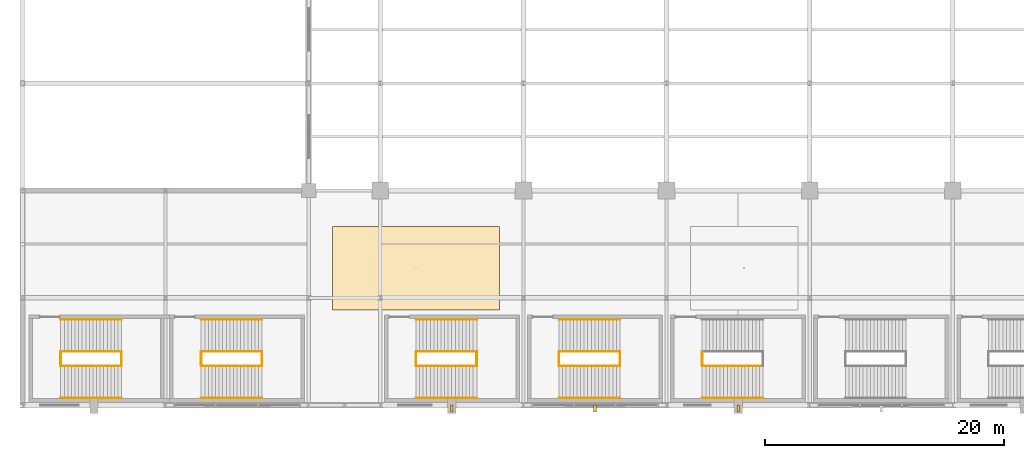
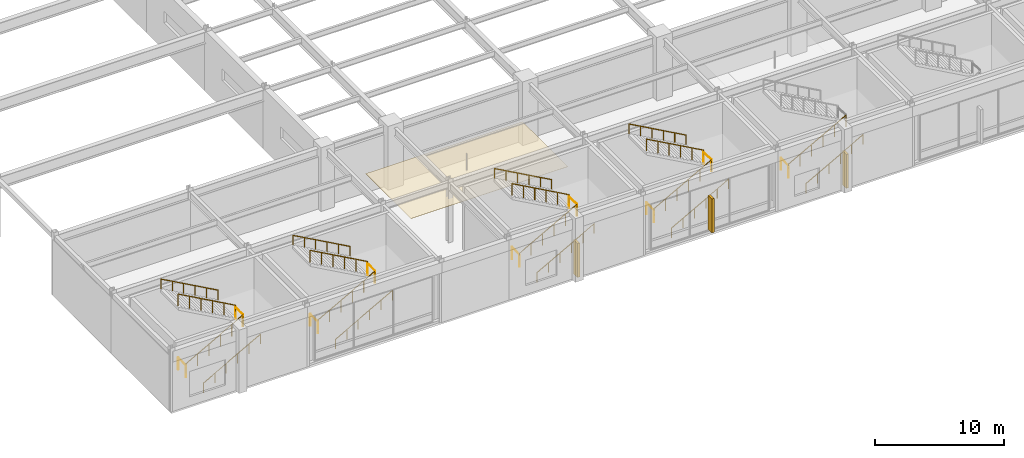
# One storey, part 97 of 105: 27 railings, 3 shading devices, 1 covering.
"""IFC4 building model written with IfcOpenShell, lengths in metres."""

from ifc_helpers import new_model, si_unit, direction, frame, origin, origin_2d, place, context, subcontext, project, spatial, polyline, rectangle, circle, outline, extrude, material, layer, layer_set, type_object, element, save


model = new_model("IFC4")

# Units and contexts
model_context = context("Model", 3, precision=1e-05, world=origin(), true_north=direction((0.0, 1.0)))
body_context = subcontext(model_context, "Body", "Model", "MODEL_VIEW")
ifc_project = project(units=[si_unit("LENGTHUNIT", "METRE"), si_unit("AREAUNIT", "SQUARE_METRE"), si_unit("VOLUMEUNIT", "CUBIC_METRE"), si_unit("PLANEANGLEUNIT", "RADIAN"), si_unit("MASSUNIT", "GRAM", prefix="KILO")], contexts=[model_context])

# Site, building, storey
site_placement = place(None, origin())
site = spatial("IfcSite", under=ifc_project, at=site_placement, CompositionType="ELEMENT")
building_placement = place(site_placement, origin())
building = spatial("IfcBuilding", under=site, at=building_placement, Name="Kaldorvane Square Convention Centre", CompositionType="ELEMENT")
storey_placement = place(building_placement, frame((0.0, 0.0, 6.0)))
storey = spatial("IfcBuildingStorey", under=building, at=storey_placement, Name="L01", CompositionType="ELEMENT", Elevation=6.0)

# Covering
ifc_material_1 = material(Name="Perforated Acoustic Mineral Fiber Ceiling")
ifc_layer = layer(ifc_material_1, 0.024993896484375)
ifc_layer_set = layer_set([ifc_layer], Name="Perforated Acoustic Mineral Fiber Ceiling")
covering_type = type_object("IfcCoveringType", Name="CV-CEIL-025", PredefinedType="CEILING", material=ifc_layer_set)
covering_placement = place(storey_placement, frame((0.0, 0.0, 4.100006103515625)))
element("IfcCovering", 1, at=covering_placement, inside=storey, type_object=covering_type, Name="Acoustic Ceiling Canopy 03 (L01)", PredefinedType="CEILING", context=body_context, shape_type="SweptSolid", body=[
    extrude(outline(polyline([(26.0, 8.0), (40.0, 8.0), (40.0, 15.0), (26.0, 15.0), (26.0, 8.0)])), origin(), (0.0, 0.0, 1.0), 0.024993896484375),
])

# Railings
ifc_material_2 = material(Name="Architectural Painted Steel", Category="steel")
railing_type_1 = type_object("IfcRailingType", Name="RL-GUARD-1120", PredefinedType="BALUSTRADE", material=ifc_material_2)
for number, where, name in (
    (2, (3.2100067138671875, 3.30999755859375, 0.0), "Convention Exit Stair C1 Floor Well Guard (L01)"),
    (3, (8.30999755859375, 3.30999755859375, 3.0), "Convention Exit Stair C1 Half-Landing Guard (L01)"),
):
    element("IfcRailing", number, at=place(storey_placement, frame(where)), inside=storey, type_object=railing_type_1, Name=name, PredefinedType="BALUSTRADE", context=body_context, shape_type="SweptSolid", body=[
        extrude(circle(Radius=0.0240020751953125, at=origin_2d()), frame((0.0, 0.0, 1.0959930419921875), z_axis=(0.0, 1.0, 0.0), x_axis=(-1.0, 0.0, 0.0)), (0.0, 0.0, 1.0), 1.19000244140625),
        extrude(circle(Radius=0.02099609375, at=origin_2d()), origin(), (0.0, 0.0, 1.0), 1.071990966796875),
        extrude(circle(Radius=0.02099609375, at=origin_2d()), frame((0.0, 1.19000244140625, 0.0)), (0.0, 0.0, 1.0), 1.071990966796875),
    ])
railing_1_placement = place(storey_placement, frame((3.2100067138671875, 3.3000030517578125, 0.1666717529296875)))
element("IfcRailing", 4, at=railing_1_placement, inside=storey, type_object=railing_type_1, Name="Convention Exit Stair C1 Flight 1 Guard (L01)", PredefinedType="BALUSTRADE", context=body_context, shape_type="SweptSolid", body=[
    extrude(circle(Radius=0.0240020751953125, at=origin_2d()), frame((0.0, 0.0, 1.0959930419921875), z_axis=(0.874157276122, 0.0, 0.485642931179), x_axis=(0.0, 1.0, 0.0)), (0.0, 0.0, 1.0), 5.8341827392578125),
    extrude(circle(Radius=0.02099609375, at=origin_2d()), origin(), (0.0, 0.0, 1.0), 1.071990966796875),
    extrude(circle(Radius=0.02099609375, at=origin_2d()), frame((1.0200042724609375, 0.0, 0.5666656494140625)), (0.0, 0.0, 1.0), 1.071990966796875),
    extrude(circle(Radius=0.02099609375, at=origin_2d()), frame((2.0399932861328125, 0.0, 1.133331298828125)), (0.0, 0.0, 1.0), 1.071990966796875),
    extrude(circle(Radius=0.02099609375, at=origin_2d()), frame((3.05999755859375, 0.0, 1.6999969482421875)), (0.0, 0.0, 1.0), 1.071990966796875),
    extrude(circle(Radius=0.02099609375, at=origin_2d()), frame((4.079986572265625, 0.0, 2.26666259765625)), (0.0, 0.0, 1.0), 1.071990966796875),
    extrude(circle(Radius=0.02099609375, at=origin_2d()), frame((5.0999908447265625, 0.0, 2.8333282470703125)), (0.0, 0.0, 1.0), 1.071990966796875),
])
railing_2_placement = place(storey_placement, frame((8.30999755859375, 4.5099945068359375, 3.1666717529296875)))
element("IfcRailing", 5, at=railing_2_placement, inside=storey, type_object=railing_type_1, Name="Convention Exit Stair C1 Flight 2 Guard (L01)", PredefinedType="BALUSTRADE", context=body_context, shape_type="SweptSolid", body=[
    extrude(circle(Radius=0.0240020751953125, at=origin_2d()), frame((0.0, 0.0, 1.0959930419921875), z_axis=(-0.874157276122, 0.0, 0.485642931179), x_axis=(0.0, -1.0, 0.0)), (0.0, 0.0, 1.0), 5.8341827392578125),
    extrude(circle(Radius=0.02099609375, at=origin_2d()), origin(), (0.0, 0.0, 1.0), 1.071990966796875),
    extrude(circle(Radius=0.02099609375, at=origin_2d()), frame((-1.0200042724609375, 0.0, 0.5666656494140625)), (0.0, 0.0, 1.0), 1.071990966796875),
    extrude(circle(Radius=0.02099609375, at=origin_2d()), frame((-2.0399932861328125, 0.0, 1.133331298828125)), (0.0, 0.0, 1.0), 1.071990966796875),
    extrude(circle(Radius=0.02099609375, at=origin_2d()), frame((-3.05999755859375, 0.0, 1.6999969482421875)), (0.0, 0.0, 1.0), 1.071990966796875),
    extrude(circle(Radius=0.02099609375, at=origin_2d()), frame((-4.079986572265625, 0.0, 2.26666259765625)), (0.0, 0.0, 1.0), 1.071990966796875),
    extrude(circle(Radius=0.02099609375, at=origin_2d()), frame((-5.0999908447265625, 0.0, 2.8333282470703125)), (0.0, 0.0, 1.0), 1.071990966796875),
])
for number, where, name in (
    (6, (14.990005493164062, 3.30999755859375, 0.0), "Convention Exit Stair C2 Floor Well Guard (L01)"),
    (7, (20.089996337890625, 3.30999755859375, 3.0), "Convention Exit Stair C2 Half-Landing Guard (L01)"),
):
    element("IfcRailing", number, at=place(storey_placement, frame(where)), inside=storey, type_object=railing_type_1, Name=name, PredefinedType="BALUSTRADE", context=body_context, shape_type="SweptSolid", body=[
        extrude(circle(Radius=0.0240020751953125, at=origin_2d()), frame((0.0, 0.0, 1.0959930419921875), z_axis=(0.0, 1.0, 0.0), x_axis=(-1.0, 0.0, 0.0)), (0.0, 0.0, 1.0), 1.19000244140625),
        extrude(circle(Radius=0.02099609375, at=origin_2d()), origin(), (0.0, 0.0, 1.0), 1.071990966796875),
        extrude(circle(Radius=0.02099609375, at=origin_2d()), frame((0.0, 1.19000244140625, 0.0)), (0.0, 0.0, 1.0), 1.071990966796875),
    ])
railing_3_placement = place(storey_placement, frame((14.990005493164062, 3.3000030517578125, 0.1666717529296875)))
element("IfcRailing", 8, at=railing_3_placement, inside=storey, type_object=railing_type_1, Name="Convention Exit Stair C2 Flight 1 Guard (L01)", PredefinedType="BALUSTRADE", context=body_context, shape_type="SweptSolid", body=[
    extrude(circle(Radius=0.0240020751953125, at=origin_2d()), frame((0.0, 0.0, 1.0959930419921875), z_axis=(0.874157276122, 0.0, 0.485642931179), x_axis=(0.0, 1.0, 0.0)), (0.0, 0.0, 1.0), 5.8341827392578125),
    extrude(circle(Radius=0.02099609375, at=origin_2d()), origin(), (0.0, 0.0, 1.0), 1.071990966796875),
    extrude(circle(Radius=0.02099609375, at=origin_2d()), frame((1.0200042724609375, 0.0, 0.5666656494140625)), (0.0, 0.0, 1.0), 1.071990966796875),
    extrude(circle(Radius=0.02099609375, at=origin_2d()), frame((2.0399932861328125, 0.0, 1.133331298828125)), (0.0, 0.0, 1.0), 1.071990966796875),
    extrude(circle(Radius=0.02099609375, at=origin_2d()), frame((3.05999755859375, 0.0, 1.6999969482421875)), (0.0, 0.0, 1.0), 1.071990966796875),
    extrude(circle(Radius=0.02099609375, at=origin_2d()), frame((4.079986572265625, 0.0, 2.26666259765625)), (0.0, 0.0, 1.0), 1.071990966796875),
    extrude(circle(Radius=0.02099609375, at=origin_2d()), frame((5.0999908447265625, 0.0, 2.8333282470703125)), (0.0, 0.0, 1.0), 1.071990966796875),
])
railing_4_placement = place(storey_placement, frame((20.089996337890625, 4.5099945068359375, 3.1666717529296875)))
element("IfcRailing", 9, at=railing_4_placement, inside=storey, type_object=railing_type_1, Name="Convention Exit Stair C2 Flight 2 Guard (L01)", PredefinedType="BALUSTRADE", context=body_context, shape_type="SweptSolid", body=[
    extrude(circle(Radius=0.0240020751953125, at=origin_2d()), frame((0.0, 0.0, 1.0959930419921875), z_axis=(-0.874157276122, 0.0, 0.485642931179), x_axis=(0.0, -1.0, 0.0)), (0.0, 0.0, 1.0), 5.8341827392578125),
    extrude(circle(Radius=0.02099609375, at=origin_2d()), origin(), (0.0, 0.0, 1.0), 1.071990966796875),
    extrude(circle(Radius=0.02099609375, at=origin_2d()), frame((-1.0200042724609375, 0.0, 0.5666656494140625)), (0.0, 0.0, 1.0), 1.071990966796875),
    extrude(circle(Radius=0.02099609375, at=origin_2d()), frame((-2.0399932861328125, 0.0, 1.133331298828125)), (0.0, 0.0, 1.0), 1.071990966796875),
    extrude(circle(Radius=0.02099609375, at=origin_2d()), frame((-3.05999755859375, 0.0, 1.6999969482421875)), (0.0, 0.0, 1.0), 1.071990966796875),
    extrude(circle(Radius=0.02099609375, at=origin_2d()), frame((-4.079986572265625, 0.0, 2.26666259765625)), (0.0, 0.0, 1.0), 1.071990966796875),
    extrude(circle(Radius=0.02099609375, at=origin_2d()), frame((-5.0999908447265625, 0.0, 2.8333282470703125)), (0.0, 0.0, 1.0), 1.071990966796875),
])
for number, where, name in (
    (10, (32.99000549316406, 3.30999755859375, 0.0), "Convention Exit Stair C3 Floor Well Guard (L01)"),
    (11, (38.089996337890625, 3.30999755859375, 3.0), "Convention Exit Stair C3 Half-Landing Guard (L01)"),
):
    element("IfcRailing", number, at=place(storey_placement, frame(where)), inside=storey, type_object=railing_type_1, Name=name, PredefinedType="BALUSTRADE", context=body_context, shape_type="SweptSolid", body=[
        extrude(circle(Radius=0.0240020751953125, at=origin_2d()), frame((0.0, 0.0, 1.0959930419921875), z_axis=(0.0, 1.0, 0.0), x_axis=(-1.0, 0.0, 0.0)), (0.0, 0.0, 1.0), 1.19000244140625),
        extrude(circle(Radius=0.02099609375, at=origin_2d()), origin(), (0.0, 0.0, 1.0), 1.071990966796875),
        extrude(circle(Radius=0.02099609375, at=origin_2d()), frame((0.0, 1.19000244140625, 0.0)), (0.0, 0.0, 1.0), 1.071990966796875),
    ])
railing_5_placement = place(storey_placement, frame((32.99000549316406, 3.3000030517578125, 0.1666717529296875)))
element("IfcRailing", 12, at=railing_5_placement, inside=storey, type_object=railing_type_1, Name="Convention Exit Stair C3 Flight 1 Guard (L01)", PredefinedType="BALUSTRADE", context=body_context, shape_type="SweptSolid", body=[
    extrude(circle(Radius=0.0240020751953125, at=origin_2d()), frame((0.0, 0.0, 1.0959930419921875), z_axis=(0.874157276122, 0.0, 0.485642931179), x_axis=(0.0, 1.0, 0.0)), (0.0, 0.0, 1.0), 5.8341827392578125),
    extrude(circle(Radius=0.02099609375, at=origin_2d()), origin(), (0.0, 0.0, 1.0), 1.071990966796875),
    extrude(circle(Radius=0.02099609375, at=origin_2d()), frame((1.0200042724609375, 0.0, 0.5666656494140625)), (0.0, 0.0, 1.0), 1.071990966796875),
    extrude(circle(Radius=0.02099609375, at=origin_2d()), frame((2.0399932861328125, 0.0, 1.133331298828125)), (0.0, 0.0, 1.0), 1.071990966796875),
    extrude(circle(Radius=0.02099609375, at=origin_2d()), frame((3.05999755859375, 0.0, 1.6999969482421875)), (0.0, 0.0, 1.0), 1.071990966796875),
    extrude(circle(Radius=0.02099609375, at=origin_2d()), frame((4.079986572265625, 0.0, 2.26666259765625)), (0.0, 0.0, 1.0), 1.071990966796875),
    extrude(circle(Radius=0.02099609375, at=origin_2d()), frame((5.0999908447265625, 0.0, 2.8333282470703125)), (0.0, 0.0, 1.0), 1.071990966796875),
])
railing_6_placement = place(storey_placement, frame((38.089996337890625, 4.5099945068359375, 3.1666717529296875)))
element("IfcRailing", 13, at=railing_6_placement, inside=storey, type_object=railing_type_1, Name="Convention Exit Stair C3 Flight 2 Guard (L01)", PredefinedType="BALUSTRADE", context=body_context, shape_type="SweptSolid", body=[
    extrude(circle(Radius=0.0240020751953125, at=origin_2d()), frame((0.0, 0.0, 1.0959930419921875), z_axis=(-0.874157276122, 0.0, 0.485642931179), x_axis=(0.0, -1.0, 0.0)), (0.0, 0.0, 1.0), 5.8341827392578125),
    extrude(circle(Radius=0.02099609375, at=origin_2d()), origin(), (0.0, 0.0, 1.0), 1.071990966796875),
    extrude(circle(Radius=0.02099609375, at=origin_2d()), frame((-1.0200042724609375, 0.0, 0.5666656494140625)), (0.0, 0.0, 1.0), 1.071990966796875),
    extrude(circle(Radius=0.02099609375, at=origin_2d()), frame((-2.0399932861328125, 0.0, 1.133331298828125)), (0.0, 0.0, 1.0), 1.071990966796875),
    extrude(circle(Radius=0.02099609375, at=origin_2d()), frame((-3.05999755859375, 0.0, 1.6999969482421875)), (0.0, 0.0, 1.0), 1.071990966796875),
    extrude(circle(Radius=0.02099609375, at=origin_2d()), frame((-4.079986572265625, 0.0, 2.26666259765625)), (0.0, 0.0, 1.0), 1.071990966796875),
    extrude(circle(Radius=0.02099609375, at=origin_2d()), frame((-5.0999908447265625, 0.0, 2.8333282470703125)), (0.0, 0.0, 1.0), 1.071990966796875),
])
for number, where, name in (
    (14, (44.99000549316406, 3.30999755859375, 0.0), "Convention Exit Stair C4 Floor Well Guard (L01)"),
    (15, (50.089996337890625, 3.30999755859375, 3.0), "Convention Exit Stair C4 Half-Landing Guard (L01)"),
):
    element("IfcRailing", number, at=place(storey_placement, frame(where)), inside=storey, type_object=railing_type_1, Name=name, PredefinedType="BALUSTRADE", context=body_context, shape_type="SweptSolid", body=[
        extrude(circle(Radius=0.0240020751953125, at=origin_2d()), frame((0.0, 0.0, 1.0959930419921875), z_axis=(0.0, 1.0, 0.0), x_axis=(-1.0, 0.0, 0.0)), (0.0, 0.0, 1.0), 1.19000244140625),
        extrude(circle(Radius=0.02099609375, at=origin_2d()), origin(), (0.0, 0.0, 1.0), 1.071990966796875),
        extrude(circle(Radius=0.02099609375, at=origin_2d()), frame((0.0, 1.19000244140625, 0.0)), (0.0, 0.0, 1.0), 1.071990966796875),
    ])
railing_7_placement = place(storey_placement, frame((44.99000549316406, 3.3000030517578125, 0.1666717529296875)))
element("IfcRailing", 16, at=railing_7_placement, inside=storey, type_object=railing_type_1, Name="Convention Exit Stair C4 Flight 1 Guard (L01)", PredefinedType="BALUSTRADE", context=body_context, shape_type="SweptSolid", body=[
    extrude(circle(Radius=0.0240020751953125, at=origin_2d()), frame((0.0, 0.0, 1.0959930419921875), z_axis=(0.874157276122, 0.0, 0.485642931179), x_axis=(0.0, 1.0, 0.0)), (0.0, 0.0, 1.0), 5.8341827392578125),
    extrude(circle(Radius=0.02099609375, at=origin_2d()), origin(), (0.0, 0.0, 1.0), 1.071990966796875),
    extrude(circle(Radius=0.02099609375, at=origin_2d()), frame((1.0200042724609375, 0.0, 0.5666656494140625)), (0.0, 0.0, 1.0), 1.071990966796875),
    extrude(circle(Radius=0.02099609375, at=origin_2d()), frame((2.0399932861328125, 0.0, 1.133331298828125)), (0.0, 0.0, 1.0), 1.071990966796875),
    extrude(circle(Radius=0.02099609375, at=origin_2d()), frame((3.05999755859375, 0.0, 1.6999969482421875)), (0.0, 0.0, 1.0), 1.071990966796875),
    extrude(circle(Radius=0.02099609375, at=origin_2d()), frame((4.079986572265625, 0.0, 2.26666259765625)), (0.0, 0.0, 1.0), 1.071990966796875),
    extrude(circle(Radius=0.02099609375, at=origin_2d()), frame((5.0999908447265625, 0.0, 2.8333282470703125)), (0.0, 0.0, 1.0), 1.071990966796875),
])
railing_8_placement = place(storey_placement, frame((50.089996337890625, 4.5099945068359375, 3.1666717529296875)))
element("IfcRailing", 17, at=railing_8_placement, inside=storey, type_object=railing_type_1, Name="Convention Exit Stair C4 Flight 2 Guard (L01)", PredefinedType="BALUSTRADE", context=body_context, shape_type="SweptSolid", body=[
    extrude(circle(Radius=0.0240020751953125, at=origin_2d()), frame((0.0, 0.0, 1.0959930419921875), z_axis=(-0.874157276122, 0.0, 0.485642931179), x_axis=(0.0, -1.0, 0.0)), (0.0, 0.0, 1.0), 5.8341827392578125),
    extrude(circle(Radius=0.02099609375, at=origin_2d()), origin(), (0.0, 0.0, 1.0), 1.071990966796875),
    extrude(circle(Radius=0.02099609375, at=origin_2d()), frame((-1.0200042724609375, 0.0, 0.5666656494140625)), (0.0, 0.0, 1.0), 1.071990966796875),
    extrude(circle(Radius=0.02099609375, at=origin_2d()), frame((-2.0399932861328125, 0.0, 1.133331298828125)), (0.0, 0.0, 1.0), 1.071990966796875),
    extrude(circle(Radius=0.02099609375, at=origin_2d()), frame((-3.05999755859375, 0.0, 1.6999969482421875)), (0.0, 0.0, 1.0), 1.071990966796875),
    extrude(circle(Radius=0.02099609375, at=origin_2d()), frame((-4.079986572265625, 0.0, 2.26666259765625)), (0.0, 0.0, 1.0), 1.071990966796875),
    extrude(circle(Radius=0.02099609375, at=origin_2d()), frame((-5.0999908447265625, 0.0, 2.8333282470703125)), (0.0, 0.0, 1.0), 1.071990966796875),
])
railing_9_placement = place(storey_placement, frame((56.99000549316406, 3.30999755859375, 0.0)))
element("IfcRailing", 18, at=railing_9_placement, inside=storey, type_object=railing_type_1, Name="Convention Exit Stair C5 Floor Well Guard (L01)", PredefinedType="BALUSTRADE", context=body_context, shape_type="SweptSolid", body=[
    extrude(circle(Radius=0.0240020751953125, at=origin_2d()), frame((0.0, 0.0, 1.0959930419921875), z_axis=(0.0, 1.0, 0.0), x_axis=(-1.0, 0.0, 0.0)), (0.0, 0.0, 1.0), 1.19000244140625),
    extrude(circle(Radius=0.02099609375, at=origin_2d()), origin(), (0.0, 0.0, 1.0), 1.071990966796875),
    extrude(circle(Radius=0.02099609375, at=origin_2d()), frame((0.0, 1.19000244140625, 0.0)), (0.0, 0.0, 1.0), 1.071990966796875),
])
railing_10_placement = place(storey_placement, frame((56.99000549316406, 3.3000030517578125, 0.1666717529296875)))
element("IfcRailing", 19, at=railing_10_placement, inside=storey, type_object=railing_type_1, Name="Convention Exit Stair C5 Flight 1 Guard (L01)", PredefinedType="BALUSTRADE", context=body_context, shape_type="SweptSolid", body=[
    extrude(circle(Radius=0.0240020751953125, at=origin_2d()), frame((0.0, 0.0, 1.0959930419921875), z_axis=(0.874157276122, 0.0, 0.485642931179), x_axis=(0.0, 1.0, 0.0)), (0.0, 0.0, 1.0), 5.8341827392578125),
    extrude(circle(Radius=0.02099609375, at=origin_2d()), origin(), (0.0, 0.0, 1.0), 1.071990966796875),
    extrude(circle(Radius=0.02099609375, at=origin_2d()), frame((1.0200042724609375, 0.0, 0.5666656494140625)), (0.0, 0.0, 1.0), 1.071990966796875),
    extrude(circle(Radius=0.02099609375, at=origin_2d()), frame((2.0399932861328125, 0.0, 1.133331298828125)), (0.0, 0.0, 1.0), 1.071990966796875),
    extrude(circle(Radius=0.02099609375, at=origin_2d()), frame((3.05999755859375, 0.0, 1.6999969482421875)), (0.0, 0.0, 1.0), 1.071990966796875),
    extrude(circle(Radius=0.02099609375, at=origin_2d()), frame((4.079986572265625, 0.0, 2.26666259765625)), (0.0, 0.0, 1.0), 1.071990966796875),
    extrude(circle(Radius=0.02099609375, at=origin_2d()), frame((5.0999908447265625, 0.0, 2.8333282470703125)), (0.0, 0.0, 1.0), 1.071990966796875),
])
railing_type_2 = type_object("IfcRailingType", Name="RL-HAND-915", PredefinedType="HANDRAIL", material=ifc_material_2)
railing_11_placement = place(storey_placement, frame((3.2100067138671875, 0.6199951171875, 0.1666717529296875)))
element("IfcRailing", 20, at=railing_11_placement, inside=storey, type_object=railing_type_2, Name="Convention Exit Stair C1 Wall Handrail 1 (L01)", PredefinedType="HANDRAIL", context=body_context, shape_type="SweptSolid", body=[
    extrude(circle(Radius=0.0240020751953125, at=origin_2d()), frame((0.0, 0.0, 0.8909912109375), z_axis=(0.874157276122, 0.0, 0.485642931179), x_axis=(0.0, 1.0, 0.0)), (0.0, 0.0, 1.0), 5.8341827392578125),
    extrude(circle(Radius=0.02099609375, at=origin_2d()), origin(), (0.0, 0.0, 1.0), 0.8669891357421875),
    extrude(circle(Radius=0.02099609375, at=origin_2d()), frame((1.0200042724609375, 0.0, 0.5666656494140625)), (0.0, 0.0, 1.0), 0.8669891357421875),
    extrude(circle(Radius=0.02099609375, at=origin_2d()), frame((2.0399932861328125, 0.0, 1.133331298828125)), (0.0, 0.0, 1.0), 0.8669891357421875),
    extrude(circle(Radius=0.02099609375, at=origin_2d()), frame((3.05999755859375, 0.0, 1.6999969482421875)), (0.0, 0.0, 1.0), 0.8669891357421875),
    extrude(circle(Radius=0.02099609375, at=origin_2d()), frame((4.079986572265625, 0.0, 2.26666259765625)), (0.0, 0.0, 1.0), 0.8669891357421875),
    extrude(circle(Radius=0.02099609375, at=origin_2d()), frame((5.0999908447265625, 0.0, 2.8333282470703125)), (0.0, 0.0, 1.0), 0.8669891357421875),
])
railing_12_placement = place(storey_placement, frame((8.30999755859375, 7.19000244140625, 3.1666717529296875)))
element("IfcRailing", 21, at=railing_12_placement, inside=storey, type_object=railing_type_2, Name="Convention Exit Stair C1 Wall Handrail 2 (L01)", PredefinedType="HANDRAIL", context=body_context, shape_type="SweptSolid", body=[
    extrude(circle(Radius=0.0240020751953125, at=origin_2d()), frame((0.0, 0.0, 0.8909912109375), z_axis=(-0.874157276122, 0.0, 0.485642931179), x_axis=(0.0, -1.0, 0.0)), (0.0, 0.0, 1.0), 5.8341827392578125),
    extrude(circle(Radius=0.02099609375, at=origin_2d()), origin(), (0.0, 0.0, 1.0), 0.8669891357421875),
    extrude(circle(Radius=0.02099609375, at=origin_2d()), frame((-1.0200042724609375, 0.0, 0.5666656494140625)), (0.0, 0.0, 1.0), 0.8669891357421875),
    extrude(circle(Radius=0.02099609375, at=origin_2d()), frame((-2.0399932861328125, 0.0, 1.133331298828125)), (0.0, 0.0, 1.0), 0.8669891357421875),
    extrude(circle(Radius=0.02099609375, at=origin_2d()), frame((-3.05999755859375, 0.0, 1.6999969482421875)), (0.0, 0.0, 1.0), 0.8669891357421875),
    extrude(circle(Radius=0.02099609375, at=origin_2d()), frame((-4.079986572265625, 0.0, 2.26666259765625)), (0.0, 0.0, 1.0), 0.8669891357421875),
    extrude(circle(Radius=0.02099609375, at=origin_2d()), frame((-5.0999908447265625, 0.0, 2.8333282470703125)), (0.0, 0.0, 1.0), 0.8669891357421875),
])
railing_13_placement = place(storey_placement, frame((14.990005493164062, 0.6199951171875, 0.1666717529296875)))
element("IfcRailing", 22, at=railing_13_placement, inside=storey, type_object=railing_type_2, Name="Convention Exit Stair C2 Wall Handrail 1 (L01)", PredefinedType="HANDRAIL", context=body_context, shape_type="SweptSolid", body=[
    extrude(circle(Radius=0.0240020751953125, at=origin_2d()), frame((0.0, 0.0, 0.8909912109375), z_axis=(0.874157276122, 0.0, 0.485642931179), x_axis=(0.0, 1.0, 0.0)), (0.0, 0.0, 1.0), 5.8341827392578125),
    extrude(circle(Radius=0.02099609375, at=origin_2d()), origin(), (0.0, 0.0, 1.0), 0.8669891357421875),
    extrude(circle(Radius=0.02099609375, at=origin_2d()), frame((1.0200042724609375, 0.0, 0.5666656494140625)), (0.0, 0.0, 1.0), 0.8669891357421875),
    extrude(circle(Radius=0.02099609375, at=origin_2d()), frame((2.0399932861328125, 0.0, 1.133331298828125)), (0.0, 0.0, 1.0), 0.8669891357421875),
    extrude(circle(Radius=0.02099609375, at=origin_2d()), frame((3.05999755859375, 0.0, 1.6999969482421875)), (0.0, 0.0, 1.0), 0.8669891357421875),
    extrude(circle(Radius=0.02099609375, at=origin_2d()), frame((4.079986572265625, 0.0, 2.26666259765625)), (0.0, 0.0, 1.0), 0.8669891357421875),
    extrude(circle(Radius=0.02099609375, at=origin_2d()), frame((5.0999908447265625, 0.0, 2.8333282470703125)), (0.0, 0.0, 1.0), 0.8669891357421875),
])
railing_14_placement = place(storey_placement, frame((20.089996337890625, 7.19000244140625, 3.1666717529296875)))
element("IfcRailing", 23, at=railing_14_placement, inside=storey, type_object=railing_type_2, Name="Convention Exit Stair C2 Wall Handrail 2 (L01)", PredefinedType="HANDRAIL", context=body_context, shape_type="SweptSolid", body=[
    extrude(circle(Radius=0.0240020751953125, at=origin_2d()), frame((0.0, 0.0, 0.8909912109375), z_axis=(-0.874157276122, 0.0, 0.485642931179), x_axis=(0.0, -1.0, 0.0)), (0.0, 0.0, 1.0), 5.8341827392578125),
    extrude(circle(Radius=0.02099609375, at=origin_2d()), origin(), (0.0, 0.0, 1.0), 0.8669891357421875),
    extrude(circle(Radius=0.02099609375, at=origin_2d()), frame((-1.0200042724609375, 0.0, 0.5666656494140625)), (0.0, 0.0, 1.0), 0.8669891357421875),
    extrude(circle(Radius=0.02099609375, at=origin_2d()), frame((-2.0399932861328125, 0.0, 1.133331298828125)), (0.0, 0.0, 1.0), 0.8669891357421875),
    extrude(circle(Radius=0.02099609375, at=origin_2d()), frame((-3.05999755859375, 0.0, 1.6999969482421875)), (0.0, 0.0, 1.0), 0.8669891357421875),
    extrude(circle(Radius=0.02099609375, at=origin_2d()), frame((-4.079986572265625, 0.0, 2.26666259765625)), (0.0, 0.0, 1.0), 0.8669891357421875),
    extrude(circle(Radius=0.02099609375, at=origin_2d()), frame((-5.0999908447265625, 0.0, 2.8333282470703125)), (0.0, 0.0, 1.0), 0.8669891357421875),
])
railing_15_placement = place(storey_placement, frame((32.99000549316406, 0.6199951171875, 0.1666717529296875)))
element("IfcRailing", 24, at=railing_15_placement, inside=storey, type_object=railing_type_2, Name="Convention Exit Stair C3 Wall Handrail 1 (L01)", PredefinedType="HANDRAIL", context=body_context, shape_type="SweptSolid", body=[
    extrude(circle(Radius=0.0240020751953125, at=origin_2d()), frame((0.0, 0.0, 0.8909912109375), z_axis=(0.874157276122, 0.0, 0.485642931179), x_axis=(0.0, 1.0, 0.0)), (0.0, 0.0, 1.0), 5.8341827392578125),
    extrude(circle(Radius=0.02099609375, at=origin_2d()), origin(), (0.0, 0.0, 1.0), 0.8669891357421875),
    extrude(circle(Radius=0.02099609375, at=origin_2d()), frame((1.0200042724609375, 0.0, 0.5666656494140625)), (0.0, 0.0, 1.0), 0.8669891357421875),
    extrude(circle(Radius=0.02099609375, at=origin_2d()), frame((2.0399932861328125, 0.0, 1.133331298828125)), (0.0, 0.0, 1.0), 0.8669891357421875),
    extrude(circle(Radius=0.02099609375, at=origin_2d()), frame((3.05999755859375, 0.0, 1.6999969482421875)), (0.0, 0.0, 1.0), 0.8669891357421875),
    extrude(circle(Radius=0.02099609375, at=origin_2d()), frame((4.079986572265625, 0.0, 2.26666259765625)), (0.0, 0.0, 1.0), 0.8669891357421875),
    extrude(circle(Radius=0.02099609375, at=origin_2d()), frame((5.0999908447265625, 0.0, 2.8333282470703125)), (0.0, 0.0, 1.0), 0.8669891357421875),
])
railing_16_placement = place(storey_placement, frame((38.089996337890625, 7.19000244140625, 3.1666717529296875)))
element("IfcRailing", 25, at=railing_16_placement, inside=storey, type_object=railing_type_2, Name="Convention Exit Stair C3 Wall Handrail 2 (L01)", PredefinedType="HANDRAIL", context=body_context, shape_type="SweptSolid", body=[
    extrude(circle(Radius=0.0240020751953125, at=origin_2d()), frame((0.0, 0.0, 0.8909912109375), z_axis=(-0.874157276122, 0.0, 0.485642931179), x_axis=(0.0, -1.0, 0.0)), (0.0, 0.0, 1.0), 5.8341827392578125),
    extrude(circle(Radius=0.02099609375, at=origin_2d()), origin(), (0.0, 0.0, 1.0), 0.8669891357421875),
    extrude(circle(Radius=0.02099609375, at=origin_2d()), frame((-1.0200042724609375, 0.0, 0.5666656494140625)), (0.0, 0.0, 1.0), 0.8669891357421875),
    extrude(circle(Radius=0.02099609375, at=origin_2d()), frame((-2.0399932861328125, 0.0, 1.133331298828125)), (0.0, 0.0, 1.0), 0.8669891357421875),
    extrude(circle(Radius=0.02099609375, at=origin_2d()), frame((-3.05999755859375, 0.0, 1.6999969482421875)), (0.0, 0.0, 1.0), 0.8669891357421875),
    extrude(circle(Radius=0.02099609375, at=origin_2d()), frame((-4.079986572265625, 0.0, 2.26666259765625)), (0.0, 0.0, 1.0), 0.8669891357421875),
    extrude(circle(Radius=0.02099609375, at=origin_2d()), frame((-5.0999908447265625, 0.0, 2.8333282470703125)), (0.0, 0.0, 1.0), 0.8669891357421875),
])
railing_17_placement = place(storey_placement, frame((44.99000549316406, 0.6199951171875, 0.1666717529296875)))
element("IfcRailing", 26, at=railing_17_placement, inside=storey, type_object=railing_type_2, Name="Convention Exit Stair C4 Wall Handrail 1 (L01)", PredefinedType="HANDRAIL", context=body_context, shape_type="SweptSolid", body=[
    extrude(circle(Radius=0.0240020751953125, at=origin_2d()), frame((0.0, 0.0, 0.8909912109375), z_axis=(0.874157276122, 0.0, 0.485642931179), x_axis=(0.0, 1.0, 0.0)), (0.0, 0.0, 1.0), 5.8341827392578125),
    extrude(circle(Radius=0.02099609375, at=origin_2d()), origin(), (0.0, 0.0, 1.0), 0.8669891357421875),
    extrude(circle(Radius=0.02099609375, at=origin_2d()), frame((1.0200042724609375, 0.0, 0.5666656494140625)), (0.0, 0.0, 1.0), 0.8669891357421875),
    extrude(circle(Radius=0.02099609375, at=origin_2d()), frame((2.0399932861328125, 0.0, 1.133331298828125)), (0.0, 0.0, 1.0), 0.8669891357421875),
    extrude(circle(Radius=0.02099609375, at=origin_2d()), frame((3.05999755859375, 0.0, 1.6999969482421875)), (0.0, 0.0, 1.0), 0.8669891357421875),
    extrude(circle(Radius=0.02099609375, at=origin_2d()), frame((4.079986572265625, 0.0, 2.26666259765625)), (0.0, 0.0, 1.0), 0.8669891357421875),
    extrude(circle(Radius=0.02099609375, at=origin_2d()), frame((5.0999908447265625, 0.0, 2.8333282470703125)), (0.0, 0.0, 1.0), 0.8669891357421875),
])
railing_18_placement = place(storey_placement, frame((50.089996337890625, 7.19000244140625, 3.1666717529296875)))
element("IfcRailing", 27, at=railing_18_placement, inside=storey, type_object=railing_type_2, Name="Convention Exit Stair C4 Wall Handrail 2 (L01)", PredefinedType="HANDRAIL", context=body_context, shape_type="SweptSolid", body=[
    extrude(circle(Radius=0.0240020751953125, at=origin_2d()), frame((0.0, 0.0, 0.8909912109375), z_axis=(-0.874157276122, 0.0, 0.485642931179), x_axis=(0.0, -1.0, 0.0)), (0.0, 0.0, 1.0), 5.8341827392578125),
    extrude(circle(Radius=0.02099609375, at=origin_2d()), origin(), (0.0, 0.0, 1.0), 0.8669891357421875),
    extrude(circle(Radius=0.02099609375, at=origin_2d()), frame((-1.0200042724609375, 0.0, 0.5666656494140625)), (0.0, 0.0, 1.0), 0.8669891357421875),
    extrude(circle(Radius=0.02099609375, at=origin_2d()), frame((-2.0399932861328125, 0.0, 1.133331298828125)), (0.0, 0.0, 1.0), 0.8669891357421875),
    extrude(circle(Radius=0.02099609375, at=origin_2d()), frame((-3.05999755859375, 0.0, 1.6999969482421875)), (0.0, 0.0, 1.0), 0.8669891357421875),
    extrude(circle(Radius=0.02099609375, at=origin_2d()), frame((-4.079986572265625, 0.0, 2.26666259765625)), (0.0, 0.0, 1.0), 0.8669891357421875),
    extrude(circle(Radius=0.02099609375, at=origin_2d()), frame((-5.0999908447265625, 0.0, 2.8333282470703125)), (0.0, 0.0, 1.0), 0.8669891357421875),
])
railing_19_placement = place(storey_placement, frame((56.99000549316406, 0.6199951171875, 0.1666717529296875)))
element("IfcRailing", 28, at=railing_19_placement, inside=storey, type_object=railing_type_2, Name="Convention Exit Stair C5 Wall Handrail 1 (L01)", PredefinedType="HANDRAIL", context=body_context, shape_type="SweptSolid", body=[
    extrude(circle(Radius=0.0240020751953125, at=origin_2d()), frame((0.0, 0.0, 0.8909912109375), z_axis=(0.874157276122, 0.0, 0.485642931179), x_axis=(0.0, 1.0, 0.0)), (0.0, 0.0, 1.0), 5.8341827392578125),
    extrude(circle(Radius=0.02099609375, at=origin_2d()), origin(), (0.0, 0.0, 1.0), 0.8669891357421875),
    extrude(circle(Radius=0.02099609375, at=origin_2d()), frame((1.0200042724609375, 0.0, 0.5666656494140625)), (0.0, 0.0, 1.0), 0.8669891357421875),
    extrude(circle(Radius=0.02099609375, at=origin_2d()), frame((2.0399932861328125, 0.0, 1.133331298828125)), (0.0, 0.0, 1.0), 0.8669891357421875),
    extrude(circle(Radius=0.02099609375, at=origin_2d()), frame((3.05999755859375, 0.0, 1.6999969482421875)), (0.0, 0.0, 1.0), 0.8669891357421875),
    extrude(circle(Radius=0.02099609375, at=origin_2d()), frame((4.079986572265625, 0.0, 2.26666259765625)), (0.0, 0.0, 1.0), 0.8669891357421875),
    extrude(circle(Radius=0.02099609375, at=origin_2d()), frame((5.0999908447265625, 0.0, 2.8333282470703125)), (0.0, 0.0, 1.0), 0.8669891357421875),
])

# Shading devices
ifc_material_3 = material(Name="Concrete f'c = 42 MPa (Normalweight) Precast", Category="concrete")
shading_device_type = type_object("IfcShadingDeviceType", Name="SD-FIN-600", PredefinedType="SHUTTER", material=ifc_material_3)
for number, where, z_axis, x_axis, name in (
    (29, (36.0, -0.279998779296875, 0.29998779296875), (0.0, 0.0, 1.0), (1.0, 0.0, 0.0), "Brutalist Precast Solar Fin (L01)"),
    (30, (48.0, -0.279998779296875, 0.29998779296875), (0.0, 0.0, 1.0), (1.0, 0.0, 0.0), "Brutalist Precast Solar Fin (L01)"),
    (31, (60.0, -0.279998779296875, 0.29998779296875), (0.0, 0.0, 1.0), (1.0, 0.0, 0.0), "Brutalist Precast Solar Fin (L01)"),
):
    element("IfcShadingDevice", number, at=place(storey_placement, frame(where, z_axis=z_axis, x_axis=x_axis)), inside=storey, type_object=shading_device_type, Name=name, PredefinedType="SHUTTER", context=body_context, shape_type="SweptSolid", body=[
        extrude(rectangle(XDim=0.220001220703125, YDim=0.600006103515625, at=origin_2d()), origin(), (0.0, 0.0, 1.0), 3.1999969482421875),
    ])

save(model, "model.ifc")
